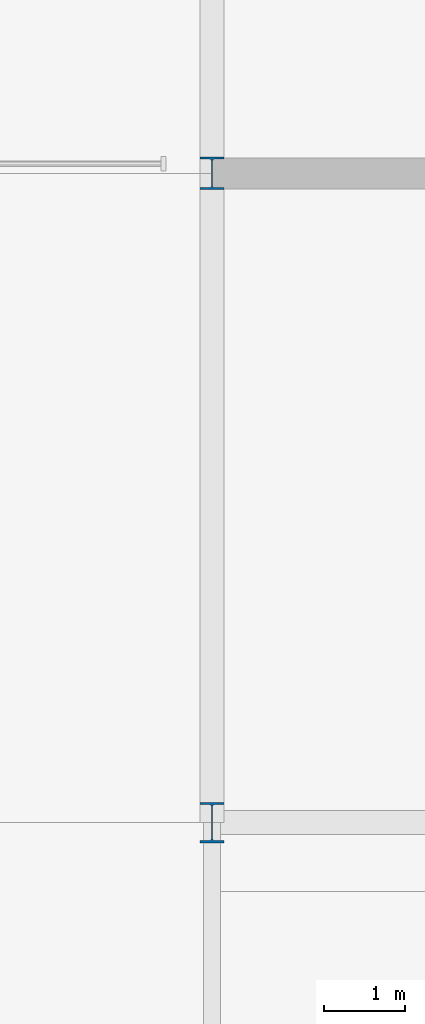
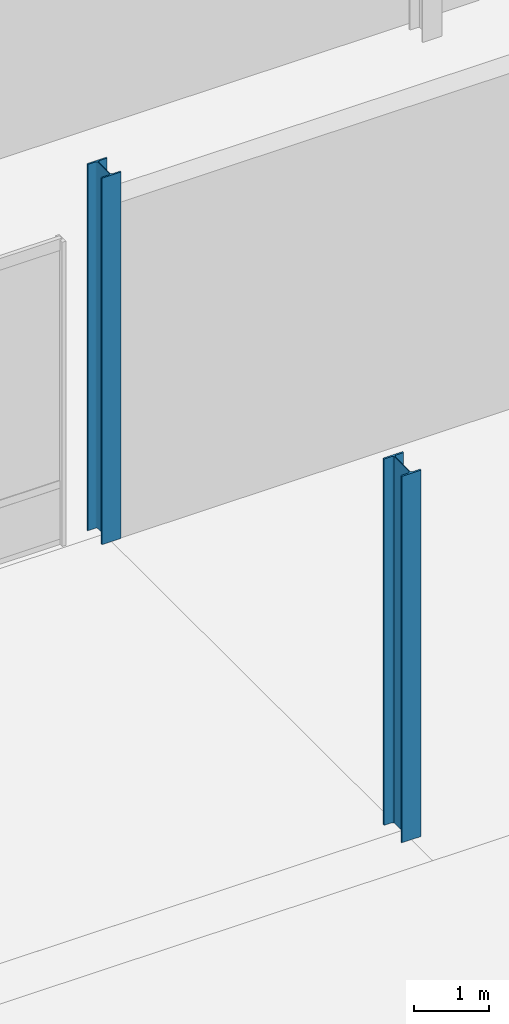
# One storey, part 24 of 124: 2 columns.
"""IFC4 building model written with IfcOpenShell, lengths in metres."""

from ifc_helpers import new_model, si_unit, direction, frame, origin, origin_2d, place, context, subcontext, project, spatial, i_section, extrude, material, material_profile, profile_set, type_object, element, save


model = new_model("IFC4")

# Units and contexts
model_context = context("Model", 3, precision=1e-05, world=origin(), true_north=direction((0.0, 1.0)))
body_context = subcontext(model_context, "Body", "Model", "MODEL_VIEW")
ifc_project = project(units=[si_unit("LENGTHUNIT", "METRE"), si_unit("AREAUNIT", "SQUARE_METRE"), si_unit("VOLUMEUNIT", "CUBIC_METRE"), si_unit("PLANEANGLEUNIT", "RADIAN"), si_unit("MASSUNIT", "GRAM", prefix="KILO")], contexts=[model_context])

# Site, building, storey
site_placement = place(None, origin())
site = spatial("IfcSite", under=ifc_project, at=site_placement, CompositionType="ELEMENT")
building_placement = place(site_placement, origin())
building = spatial("IfcBuilding", under=site, at=building_placement, Name="Danafjord Basin Convention Centre", CompositionType="ELEMENT")
storey_placement = place(building_placement, origin())
storey = spatial("IfcBuildingStorey", under=building, at=storey_placement, Name="L00", CompositionType="ELEMENT", Elevation=0.0)

# Columns
ifc_material = material(Name="Steel S355", Category="steel")
ifc_material_profile_1 = material_profile(ifc_material, i_section(OverallWidth=0.300048828125, OverallDepth=0.39990234375, WebThickness=0.013427734375, FlangeThickness=0.02392578125, FilletRadius=0.027099609375, at=origin_2d()), Name="HEB 400")
ifc_profile_set_1 = profile_set([ifc_material_profile_1], Name="Steel S355")
column_type_1 = type_object("IfcColumnType", Name="COL-C-HEB400", PredefinedType="COLUMN", material=ifc_profile_set_1)
column_1_placement = place(storey_placement, frame((182.39990234375, 88.0, 0.0), z_axis=(0.0, 0.0, 1.0), x_axis=(1.0, 0.0, 0.0)))
element("IfcColumn", 1, at=column_1_placement, inside=storey, type_object=column_type_1, Name="L00 column C-HEB400 at (182.4, 88.0)", PredefinedType="COLUMN", context=body_context, shape_type="SweptSolid", body=[
    extrude(i_section(OverallWidth=0.300048828125, OverallDepth=0.39990234375, WebThickness=0.013427734375, FlangeThickness=0.02392578125, FilletRadius=0.027099609375, at=origin_2d()), origin(), (0.0, 0.0, 1.0), 6.0),
])
ifc_material_profile_2 = material_profile(ifc_material, i_section(OverallWidth=0.300048828125, OverallDepth=0.5, WebThickness=0.014404296875, FlangeThickness=0.028076171875, FilletRadius=0.027099609375, at=origin_2d()), Name="HEB 500")
ifc_profile_set_2 = profile_set([ifc_material_profile_2], Name="Steel S355")
column_type_2 = type_object("IfcColumnType", Name="COL-C-HEB500", PredefinedType="COLUMN", material=ifc_profile_set_2)
column_2_placement = place(storey_placement, frame((182.39990234375, 80.0, 0.0), z_axis=(0.0, 0.0, 1.0), x_axis=(1.0, 0.0, 0.0)))
element("IfcColumn", 2, at=column_2_placement, inside=storey, type_object=column_type_2, Name="L00 column C-HEB500 at (182.4, 80.0)", PredefinedType="COLUMN", context=body_context, shape_type="SweptSolid", body=[
    extrude(i_section(OverallWidth=0.300048828125, OverallDepth=0.5, WebThickness=0.014404296875, FlangeThickness=0.028076171875, FilletRadius=0.027099609375, at=origin_2d()), origin(), (0.0, 0.0, 1.0), 6.0),
])

save(model, "model.ifc")
